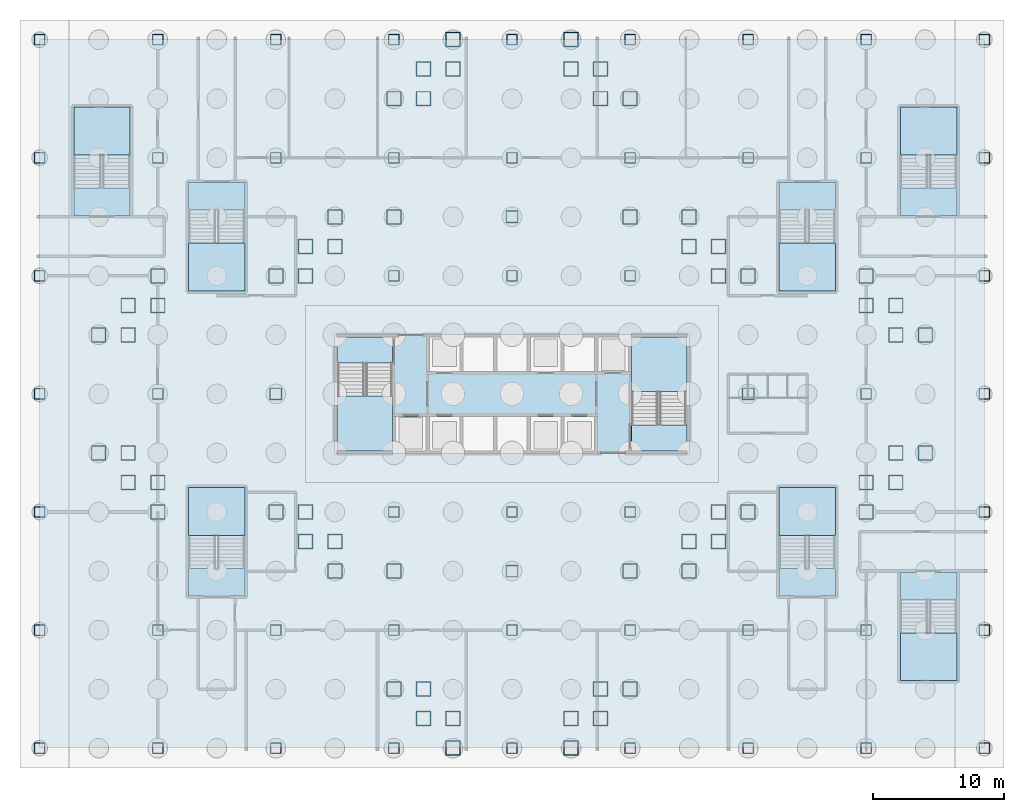
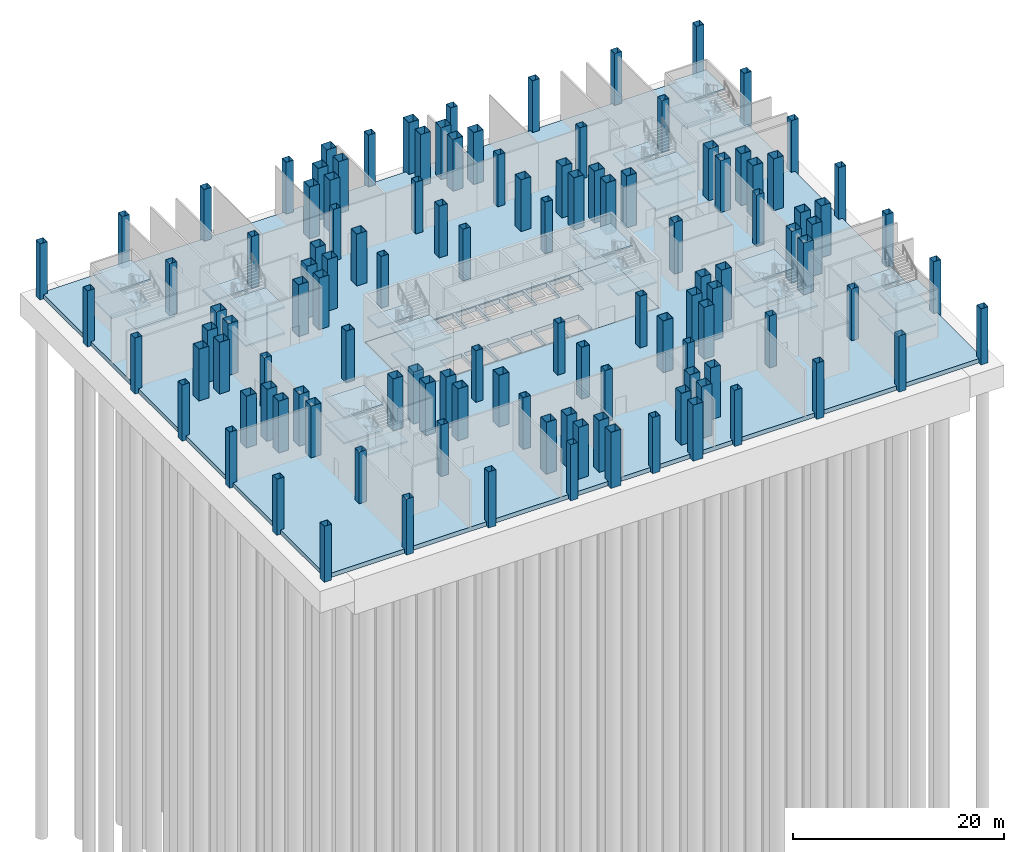
# One storey, part 2 of 25: 118 columns, 29 slabs, 9 elements without a shape of their own.
"""IFC4 building model written with IfcOpenShell, lengths in metres."""

from ifc_helpers import new_model, si_unit, direction, frame, origin, origin_2d, place, context, subcontext, project, spatial, polyline, hollow_rectangle, outline, extrude, material, layer, layer_set, material_profile, profile_set, type_object, element, aggregate, save


model = new_model("IFC4")

# Units and contexts
model_context = context("Model", 3, precision=1e-05, world=origin(), true_north=direction((0.0, 1.0)))
body_context = subcontext(model_context, "Body", "Model", "MODEL_VIEW")
ifc_project = project(units=[si_unit("LENGTHUNIT", "METRE"), si_unit("AREAUNIT", "SQUARE_METRE"), si_unit("VOLUMEUNIT", "CUBIC_METRE"), si_unit("PLANEANGLEUNIT", "RADIAN"), si_unit("MASSUNIT", "GRAM", prefix="KILO")], contexts=[model_context])

# Site, building, storey
site_placement = place(None, origin())
site = spatial("IfcSite", under=ifc_project, at=site_placement, CompositionType="ELEMENT")
building_placement = place(site_placement, origin())
building = spatial("IfcBuilding", under=site, at=building_placement, Name="Caravel Reach Hotel and Residences", CompositionType="ELEMENT")
storey_placement = place(building_placement, frame((0.0, 0.0, -6.0)))
storey = spatial("IfcBuildingStorey", under=building, at=storey_placement, Name="B1", CompositionType="ELEMENT", Elevation=-6.0)

# Columns
ifc_material_1 = material(Name="Concrete-filled steel tube Q390B with Concrete C70 infill", Category="concrete")
ifc_material_profile_1 = material_profile(ifc_material_1, hollow_rectangle(XDim=1.10009765625, YDim=1.10009765625, WallThickness=0.035888671875, at=origin_2d()), Name="RHS 1100x1100x36")
ifc_profile_set_1 = profile_set([ifc_material_profile_1], Name="Concrete-filled steel tube Q390B with Concrete C70 infill")
column_type_1 = type_object("IfcColumnType", Name="CFT 1100x1100 Q390B C70", PredefinedType="COLUMN", material=ifc_profile_set_1)
for number, where, z_axis, x_axis, name in (
    (1, (22.5, 4.5, -0.5), (0.0, 0.0, 1.0), (1.0, 0.0, 0.0), "C1 column"),
    (2, (24.75, 4.5, -0.5), (0.0, 0.0, 1.0), (1.0, 0.0, 0.0), "C1 column"),
    (3, (24.75, 2.25, -0.5), (0.0, 0.0, 1.0), (1.0, 0.0, 0.0), "C1 column"),
    (4, (27.0, 2.25, -0.5), (0.0, 0.0, 1.0), (1.0, 0.0, 0.0), "C1 column"),
    (5, (27.0, 0.0, -0.5), (0.0, 0.0, 1.0), (1.0, 0.0, 0.0), "C1 column"),
    (6, (36.0, 0.0, -0.5), (0.0, 0.0, 1.0), (1.0, 0.0, 0.0), "C1 column"),
    (7, (36.0, 2.25, -0.5), (0.0, 0.0, 1.0), (1.0, 0.0, 0.0), "C1 column"),
    (8, (38.25, 2.25, -0.5), (0.0, 0.0, 1.0), (1.0, 0.0, 0.0), "C1 column"),
    (9, (38.25, 4.5, -0.5), (0.0, 0.0, 1.0), (1.0, 0.0, 0.0), "C1 column"),
    (10, (40.5, 4.5, -0.5), (0.0, 0.0, 1.0), (1.0, 0.0, 0.0), "C1 column"),
    (11, (40.5, 13.5, -0.5), (0.0, 0.0, 1.0), (1.0, 0.0, 0.0), "C1 column"),
    (12, (45.0, 13.5, -0.5), (0.0, 0.0, 1.0), (1.0, 0.0, 0.0), "C1 column"),
    (13, (45.0, 15.75, -0.5), (0.0, 0.0, 1.0), (1.0, 0.0, 0.0), "C1 column"),
    (14, (47.25, 15.75, -0.5), (0.0, 0.0, 1.0), (1.0, 0.0, 0.0), "C1 column"),
    (15, (47.25, 18.0, -0.5), (0.0, 0.0, 1.0), (1.0, 0.0, 0.0), "C1 column"),
    (16, (49.5, 18.0, -0.5), (0.0, 0.0, 1.0), (1.0, 0.0, 0.0), "C1 column"),
    (17, (58.5, 18.0, -0.5), (0.0, 0.0, 1.0), (1.0, 0.0, 0.0), "C1 column"),
    (18, (58.5, 20.25, -0.5), (0.0, 0.0, 1.0), (1.0, 0.0, 0.0), "C1 column"),
    (19, (60.75, 20.25, -0.5), (0.0, 0.0, 1.0), (1.0, 0.0, 0.0), "C1 column"),
    (20, (60.75, 22.5, -0.5), (0.0, 0.0, 1.0), (1.0, 0.0, 0.0), "C1 column"),
    (21, (63.0, 22.5, -0.5), (0.0, 0.0, 1.0), (1.0, 0.0, 0.0), "C1 column"),
    (22, (63.0, 31.5, -0.5), (0.0, 0.0, 1.0), (1.0, 0.0, 0.0), "C1 column"),
    (23, (60.75, 31.5, -0.5), (0.0, 0.0, 1.0), (1.0, 0.0, 0.0), "C1 column"),
    (24, (60.75, 33.75, -0.5), (0.0, 0.0, 1.0), (1.0, 0.0, 0.0), "C1 column"),
    (25, (58.5, 33.75, -0.5), (0.0, 0.0, 1.0), (1.0, 0.0, 0.0), "C1 column"),
    (26, (58.5, 36.0, -0.5), (0.0, 0.0, 1.0), (1.0, 0.0, 0.0), "C1 column"),
    (27, (49.5, 36.0, -0.5), (0.0, 0.0, 1.0), (1.0, 0.0, 0.0), "C1 column"),
    (28, (47.25, 36.0, -0.5), (0.0, 0.0, 1.0), (1.0, 0.0, 0.0), "C1 column"),
    (29, (47.25, 38.25, -0.5), (0.0, 0.0, 1.0), (1.0, 0.0, 0.0), "C1 column"),
    (30, (45.0, 38.25, -0.5), (0.0, 0.0, 1.0), (1.0, 0.0, 0.0), "C1 column"),
    (31, (45.0, 40.5, -0.5), (0.0, 0.0, 1.0), (1.0, 0.0, 0.0), "C1 column"),
    (32, (40.5, 40.5, -0.5), (0.0, 0.0, 1.0), (1.0, 0.0, 0.0), "C1 column"),
    (33, (40.5, 49.5, -0.5), (0.0, 0.0, 1.0), (1.0, 0.0, 0.0), "C1 column"),
    (34, (38.25, 49.5, -0.5), (0.0, 0.0, 1.0), (1.0, 0.0, 0.0), "C1 column"),
    (35, (38.25, 51.75, -0.5), (0.0, 0.0, 1.0), (1.0, 0.0, 0.0), "C1 column"),
    (36, (36.0, 51.75, -0.5), (0.0, 0.0, 1.0), (1.0, 0.0, 0.0), "C1 column"),
    (37, (36.0, 54.0, -0.5), (0.0, 0.0, 1.0), (1.0, 0.0, 0.0), "C1 column"),
    (38, (27.0, 54.0, -0.5), (0.0, 0.0, 1.0), (1.0, 0.0, 0.0), "C1 column"),
    (39, (27.0, 51.75, -0.5), (0.0, 0.0, 1.0), (1.0, 0.0, 0.0), "C1 column"),
    (40, (24.75, 51.75, -0.5), (0.0, 0.0, 1.0), (1.0, 0.0, 0.0), "C1 column"),
    (41, (24.75, 49.5, -0.5), (0.0, 0.0, 1.0), (1.0, 0.0, 0.0), "C1 column"),
    (42, (22.5, 49.5, -0.5), (0.0, 0.0, 1.0), (1.0, 0.0, 0.0), "C1 column"),
    (43, (22.5, 40.5, -0.5), (0.0, 0.0, 1.0), (1.0, 0.0, 0.0), "C1 column"),
    (44, (18.0, 40.5, -0.5), (0.0, 0.0, 1.0), (1.0, 0.0, 0.0), "C1 column"),
    (45, (18.0, 38.25, -0.5), (0.0, 0.0, 1.0), (1.0, 0.0, 0.0), "C1 column"),
    (46, (15.75, 38.25, -0.5), (0.0, 0.0, 1.0), (1.0, 0.0, 0.0), "C1 column"),
    (47, (15.75, 36.0, -0.5), (0.0, 0.0, 1.0), (1.0, 0.0, 0.0), "C1 column"),
    (48, (13.5, 36.0, -0.5), (0.0, 0.0, 1.0), (1.0, 0.0, 0.0), "C1 column"),
    (49, (4.5, 36.0, -0.5), (0.0, 0.0, 1.0), (1.0, 0.0, 0.0), "C1 column"),
    (50, (4.5, 33.75, -0.5), (0.0, 0.0, 1.0), (1.0, 0.0, 0.0), "C1 column"),
    (51, (2.25, 33.75, -0.5), (0.0, 0.0, 1.0), (1.0, 0.0, 0.0), "C1 column"),
    (52, (2.25, 31.5, -0.5), (0.0, 0.0, 1.0), (1.0, 0.0, 0.0), "C1 column"),
    (53, (0.0, 31.5, -0.5), (0.0, 0.0, 1.0), (1.0, 0.0, 0.0), "C1 column"),
    (54, (0.0, 22.5, -0.5), (0.0, 0.0, 1.0), (1.0, 0.0, 0.0), "C1 column"),
    (55, (2.25, 22.5, -0.5), (0.0, 0.0, 1.0), (1.0, 0.0, 0.0), "C1 column"),
    (56, (2.25, 20.25, -0.5), (0.0, 0.0, 1.0), (1.0, 0.0, 0.0), "C1 column"),
    (57, (4.5, 20.25, -0.5), (0.0, 0.0, 1.0), (1.0, 0.0, 0.0), "C1 column"),
    (58, (4.5, 18.0, -0.5), (0.0, 0.0, 1.0), (1.0, 0.0, 0.0), "C1 column"),
    (59, (13.5, 18.0, -0.5), (0.0, 0.0, 1.0), (1.0, 0.0, 0.0), "C1 column"),
    (60, (15.75, 18.0, -0.5), (0.0, 0.0, 1.0), (1.0, 0.0, 0.0), "C1 column"),
    (61, (15.75, 15.75, -0.5), (0.0, 0.0, 1.0), (1.0, 0.0, 0.0), "C1 column"),
    (62, (18.0, 15.75, -0.5), (0.0, 0.0, 1.0), (1.0, 0.0, 0.0), "C1 column"),
    (63, (18.0, 13.5, -0.5), (0.0, 0.0, 1.0), (1.0, 0.0, 0.0), "C1 column"),
    (64, (22.5, 13.5, -0.5), (0.0, 0.0, 1.0), (1.0, 0.0, 0.0), "C1 column"),
):
    element("IfcColumn", number, at=place(storey_placement, frame(where, z_axis=z_axis, x_axis=x_axis)), inside=storey, type_object=column_type_1, Name=name, PredefinedType="COLUMN", context=body_context, shape_type="SweptSolid", body=[
        extrude(hollow_rectangle(XDim=1.10009765625, YDim=1.10009765625, WallThickness=0.035888671875, at=origin_2d()), origin(), (0.0, 0.0, 1.0), 6.5),
    ])
ifc_material_2 = material(Name="Concrete-filled steel tube Q390B with Concrete C70 infill", Category="concrete")
ifc_material_profile_2 = material_profile(ifc_material_2, hollow_rectangle(XDim=0.800048828125, YDim=0.800048828125, WallThickness=0.02490234375, at=origin_2d()), Name="RHS 800x800x25")
ifc_profile_set_2 = profile_set([ifc_material_profile_2], Name="Concrete-filled steel tube Q390B with Concrete C70 infill")
column_type_2 = type_object("IfcColumnType", Name="CFT 800x800 Q390B C70", PredefinedType="COLUMN", material=ifc_profile_set_2)
for number, where, z_axis, x_axis, name in (
    (65, (-4.5, 0.0, -0.5), (0.0, 0.0, 1.0), (1.0, 0.0, 0.0), "C4 column"),
    (66, (-4.5, 9.0, -0.5), (0.0, 0.0, 1.0), (1.0, 0.0, 0.0), "C4 column"),
    (67, (-4.5, 18.0, -0.5), (0.0, 0.0, 1.0), (1.0, 0.0, 0.0), "C4 column"),
    (68, (-4.5, 27.0, -0.5), (0.0, 0.0, 1.0), (1.0, 0.0, 0.0), "C4 column"),
    (69, (-4.5, 36.0, -0.5), (0.0, 0.0, 1.0), (1.0, 0.0, 0.0), "C4 column"),
    (70, (-4.5, 45.0, -0.5), (0.0, 0.0, 1.0), (1.0, 0.0, 0.0), "C4 column"),
    (71, (-4.5, 54.0, -0.5), (0.0, 0.0, 1.0), (1.0, 0.0, 0.0), "C4 column"),
    (72, (4.5, 0.0, -0.5), (0.0, 0.0, 1.0), (1.0, 0.0, 0.0), "C4 column"),
    (73, (4.5, 54.0, -0.5), (0.0, 0.0, 1.0), (1.0, 0.0, 0.0), "C4 column"),
    (74, (13.5, 0.0, -0.5), (0.0, 0.0, 1.0), (1.0, 0.0, 0.0), "C4 column"),
    (75, (13.5, 54.0, -0.5), (0.0, 0.0, 1.0), (1.0, 0.0, 0.0), "C4 column"),
    (76, (22.5, 0.0, -0.5), (0.0, 0.0, 1.0), (1.0, 0.0, 0.0), "C4 column"),
    (77, (22.5, 54.0, -0.5), (0.0, 0.0, 1.0), (1.0, 0.0, 0.0), "C4 column"),
    (78, (31.5, 0.0, -0.5), (0.0, 0.0, 1.0), (1.0, 0.0, 0.0), "C4 column"),
    (79, (31.5, 54.0, -0.5), (0.0, 0.0, 1.0), (1.0, 0.0, 0.0), "C4 column"),
    (80, (40.5, 0.0, -0.5), (0.0, 0.0, 1.0), (1.0, 0.0, 0.0), "C4 column"),
    (81, (40.5, 54.0, -0.5), (0.0, 0.0, 1.0), (1.0, 0.0, 0.0), "C4 column"),
    (82, (49.5, 0.0, -0.5), (0.0, 0.0, 1.0), (1.0, 0.0, 0.0), "C4 column"),
    (83, (49.5, 54.0, -0.5), (0.0, 0.0, 1.0), (1.0, 0.0, 0.0), "C4 column"),
    (84, (58.5, 0.0, -0.5), (0.0, 0.0, 1.0), (1.0, 0.0, 0.0), "C4 column"),
    (85, (58.5, 54.0, -0.5), (0.0, 0.0, 1.0), (1.0, 0.0, 0.0), "C4 column"),
    (86, (67.5, 0.0, -0.5), (0.0, 0.0, 1.0), (1.0, 0.0, 0.0), "C4 column"),
    (87, (67.5, 9.0, -0.5), (0.0, 0.0, 1.0), (1.0, 0.0, 0.0), "C4 column"),
    (88, (67.5, 18.0, -0.5), (0.0, 0.0, 1.0), (1.0, 0.0, 0.0), "C4 column"),
    (89, (67.5, 27.0, -0.5), (0.0, 0.0, 1.0), (1.0, 0.0, 0.0), "C4 column"),
    (90, (67.5, 36.0, -0.5), (0.0, 0.0, 1.0), (1.0, 0.0, 0.0), "C4 column"),
    (91, (67.5, 45.0, -0.5), (0.0, 0.0, 1.0), (1.0, 0.0, 0.0), "C4 column"),
    (92, (67.5, 54.0, -0.5), (0.0, 0.0, 1.0), (1.0, 0.0, 0.0), "C4 column"),
    (93, (4.5, 9.0, -0.5), (0.0, 0.0, 1.0), (1.0, 0.0, 0.0), "C4 column"),
    (94, (4.5, 27.0, -0.5), (0.0, 0.0, 1.0), (1.0, 0.0, 0.0), "C4 column"),
    (95, (4.5, 45.0, -0.5), (0.0, 0.0, 1.0), (1.0, 0.0, 0.0), "C4 column"),
    (96, (13.5, 9.0, -0.5), (0.0, 0.0, 1.0), (1.0, 0.0, 0.0), "C4 column"),
    (97, (13.5, 45.0, -0.5), (0.0, 0.0, 1.0), (1.0, 0.0, 0.0), "C4 column"),
    (98, (22.5, 9.0, -0.5), (0.0, 0.0, 1.0), (1.0, 0.0, 0.0), "C4 column"),
    (99, (22.5, 18.0, -0.5), (0.0, 0.0, 1.0), (1.0, 0.0, 0.0), "C4 column"),
    (100, (22.5, 36.0, -0.5), (0.0, 0.0, 1.0), (1.0, 0.0, 0.0), "C4 column"),
    (101, (22.5, 45.0, -0.5), (0.0, 0.0, 1.0), (1.0, 0.0, 0.0), "C4 column"),
    (102, (31.5, 9.0, -0.5), (0.0, 0.0, 1.0), (1.0, 0.0, 0.0), "C4 column"),
    (103, (31.5, 18.0, -0.5), (0.0, 0.0, 1.0), (1.0, 0.0, 0.0), "C4 column"),
    (104, (31.5, 36.0, -0.5), (0.0, 0.0, 1.0), (1.0, 0.0, 0.0), "C4 column"),
    (105, (31.5, 45.0, -0.5), (0.0, 0.0, 1.0), (1.0, 0.0, 0.0), "C4 column"),
    (106, (40.5, 9.0, -0.5), (0.0, 0.0, 1.0), (1.0, 0.0, 0.0), "C4 column"),
    (107, (40.5, 18.0, -0.5), (0.0, 0.0, 1.0), (1.0, 0.0, 0.0), "C4 column"),
    (108, (40.5, 36.0, -0.5), (0.0, 0.0, 1.0), (1.0, 0.0, 0.0), "C4 column"),
    (109, (40.5, 45.0, -0.5), (0.0, 0.0, 1.0), (1.0, 0.0, 0.0), "C4 column"),
    (110, (49.5, 9.0, -0.5), (0.0, 0.0, 1.0), (1.0, 0.0, 0.0), "C4 column"),
    (111, (49.5, 45.0, -0.5), (0.0, 0.0, 1.0), (1.0, 0.0, 0.0), "C4 column"),
    (112, (58.5, 9.0, -0.5), (0.0, 0.0, 1.0), (1.0, 0.0, 0.0), "C4 column"),
    (113, (58.5, 27.0, -0.5), (0.0, 0.0, 1.0), (1.0, 0.0, 0.0), "C4 column"),
    (114, (58.5, 45.0, -0.5), (0.0, 0.0, 1.0), (1.0, 0.0, 0.0), "C4 column"),
):
    element("IfcColumn", number, at=place(storey_placement, frame(where, z_axis=z_axis, x_axis=x_axis)), inside=storey, type_object=column_type_2, Name=name, PredefinedType="COLUMN", context=body_context, shape_type="SweptSolid", body=[
        extrude(hollow_rectangle(XDim=0.800048828125, YDim=0.800048828125, WallThickness=0.02490234375, at=origin_2d()), origin(), (0.0, 0.0, 1.0), 6.5),
    ])
ifc_material_3 = material(Name="Concrete-filled steel tube Q390B with Concrete C70 infill", Category="concrete")
ifc_material_profile_3 = material_profile(ifc_material_3, hollow_rectangle(XDim=0.89990234375, YDim=0.89990234375, WallThickness=0.028076171875, at=origin_2d()), Name="RHS 900x900x28")
ifc_profile_set_3 = profile_set([ifc_material_profile_3], Name="Concrete-filled steel tube Q390B with Concrete C70 infill")
column_type_3 = type_object("IfcColumnType", Name="CFT 900x900 Q390B C70", PredefinedType="COLUMN", material=ifc_profile_set_3)
for number, where, z_axis, x_axis, name in (
    (115, (31.5, 40.5, -0.5), (0.0, 0.0, 1.0), (1.0, 0.0, 0.0), "C3 column"),
    (116, (31.5, 13.5, -0.5), (0.0, 0.0, 1.0), (1.0, 0.0, 0.0), "C3 column"),
    (117, (13.5, 27.0, -0.5), (0.0, 0.0, 1.0), (1.0, 0.0, 0.0), "C3 column"),
    (118, (49.5, 27.0, -0.5), (0.0, 0.0, 1.0), (1.0, 0.0, 0.0), "C3 column"),
):
    element("IfcColumn", number, at=place(storey_placement, frame(where, z_axis=z_axis, x_axis=x_axis)), inside=storey, type_object=column_type_3, Name=name, PredefinedType="COLUMN", context=body_context, shape_type="SweptSolid", body=[
        extrude(hollow_rectangle(XDim=0.89990234375, YDim=0.89990234375, WallThickness=0.028076171875, at=origin_2d()), origin(), (0.0, 0.0, 1.0), 6.5),
    ])

# Slabs
ifc_material_4 = material(Name="Concrete C40", Category="concrete")
ifc_layer_1 = layer(ifc_material_4, 0.5)
ifc_layer_set_1 = layer_set([ifc_layer_1], Name="Basement slab 500")
slab_type_1 = type_object("IfcSlabType", Name="Basement slab 500", PredefinedType="BASESLAB", material=ifc_layer_set_1)
slab_1_placement = place(storey_placement, frame((0.0, 0.0, -0.5)))
element("IfcSlab", 119, at=slab_1_placement, inside=storey, type_object=slab_type_1, Name="S1 basement floor slab", PredefinedType="BASESLAB", context=body_context, shape_type="SweptSolid", body=[
    extrude(outline(polyline([(-4.5, 0.0), (-4.5, 54.0), (67.5, 54.0), (67.5, 0.0), (-4.5, 0.0)]), holes=[polyline([(45.0, 31.5), (18.0, 31.5), (18.0, 22.5), (45.0, 22.5), (45.0, 31.5)])]), origin(), (0.0, 0.0, 1.0), 0.5),
])
ifc_material_5 = material(Name="Concrete C40", Category="concrete")
ifc_layer_2 = layer(ifc_material_5, 0.5)
ifc_layer_set_2 = layer_set([ifc_layer_2], Name="Core floor slab 500 mm")
slab_type_2 = type_object("IfcSlabType", Name="Core floor slab 500 mm", PredefinedType="FLOOR", material=ifc_layer_set_2)
slab_2_placement = place(storey_placement, frame((0.0, 0.0, -0.5)))
element("IfcSlab", 120, at=slab_2_placement, inside=storey, type_object=slab_type_2, Name="B1 core floor", PredefinedType="FLOOR", context=body_context, shape_type="SweptSolid", body=[
    extrude(outline(polyline([(18.0, 31.5), (45.0, 31.5), (45.0, 22.5), (18.0, 22.5), (18.0, 31.5)]), holes=[polyline([(22.625, 25.27490234375), (22.625, 22.64990234375), (24.9462890625, 22.64990234375), (24.9462890625, 25.27490234375), (22.625, 25.27490234375)]), polyline([(27.517822265625, 25.27490234375), (25.1962890625, 25.27490234375), (25.1962890625, 22.64990234375), (27.517822265625, 22.64990234375), (27.517822265625, 25.27490234375)]), polyline([(30.08935546875, 25.27490234375), (27.767822265625, 25.27490234375), (27.767822265625, 22.64990234375), (30.08935546875, 22.64990234375), (30.08935546875, 25.27490234375)]), polyline([(30.33935546875, 25.27490234375), (30.33935546875, 22.64990234375), (32.66064453125, 22.64990234375), (32.66064453125, 25.27490234375), (30.33935546875, 25.27490234375)]), polyline([(27.517822265625, 31.35009765625), (25.1962890625, 31.35009765625), (25.1962890625, 28.72509765625), (27.517822265625, 28.72509765625), (27.517822265625, 31.35009765625)]), polyline([(30.08935546875, 31.35009765625), (27.767822265625, 31.35009765625), (27.767822265625, 28.72509765625), (30.08935546875, 28.72509765625), (30.08935546875, 31.35009765625)]), polyline([(32.91064453125, 25.27490234375), (32.91064453125, 22.64990234375), (35.232177734375, 22.64990234375), (35.232177734375, 25.27490234375), (32.91064453125, 25.27490234375)]), polyline([(37.8037109375, 25.27490234375), (35.482177734375, 25.27490234375), (35.482177734375, 22.64990234375), (37.8037109375, 22.64990234375), (37.8037109375, 25.27490234375)]), polyline([(32.66064453125, 31.35009765625), (30.33935546875, 31.35009765625), (30.33935546875, 28.72509765625), (32.66064453125, 28.72509765625), (32.66064453125, 31.35009765625)]), polyline([(32.91064453125, 31.35009765625), (32.91064453125, 28.72509765625), (35.232177734375, 28.72509765625), (35.232177734375, 31.35009765625), (32.91064453125, 31.35009765625)]), polyline([(37.8037109375, 31.35009765625), (35.482177734375, 31.35009765625), (35.482177734375, 28.72509765625), (37.8037109375, 28.72509765625), (37.8037109375, 31.35009765625)]), polyline([(40.375, 31.35009765625), (38.0537109375, 31.35009765625), (38.0537109375, 28.72509765625), (40.375, 28.72509765625), (40.375, 31.35009765625)])]), origin(), (0.0, 0.0, 1.0), 0.5),
])

# Stair, slabs
ifc_material_6 = material(Name="Concrete C40", Category="concrete")
stair_type = type_object("IfcStairType", Name="Core stair", PredefinedType="HALF_TURN_STAIR", material=ifc_material_6)
stair_1_placement = place(storey_placement, origin())
stair_1 = element("IfcStair", 121, at=stair_1_placement, inside=storey, type_object=stair_type, Name="B1 Exit stair A", PredefinedType="HALF_TURN_STAIR")
ifc_material_7 = material(Name="Concrete C40", Category="concrete")
ifc_layer_3 = layer(ifc_material_7, 0.199951171875)
ifc_layer_set_3 = layer_set([ifc_layer_3], Name="Core stair landing")
slab_type_3 = type_object("IfcSlabType", Name="Core stair landing", PredefinedType="LANDING", material=ifc_layer_set_3)
slab_3_placement = place(storey_placement, frame((0.0, 0.0, 1.300048828125)))
slab_3 = element("IfcSlab", 122, at=slab_3_placement, type_object=slab_type_3, Name="ST-A landing 1", PredefinedType="LANDING", context=body_context, shape_type="SweptSolid", body=[
    extrude(outline(polyline([(18.14990234375, 26.830078125), (18.14990234375, 22.64990234375), (22.375, 22.64990234375), (22.375, 26.830078125), (18.14990234375, 26.830078125)])), origin(), (0.0, 0.0, 1.0), 0.199951171875),
])
slab_4_placement = place(storey_placement, frame((0.0, 0.0, 2.800048828125)))
slab_4 = element("IfcSlab", 123, at=slab_4_placement, type_object=slab_type_3, Name="ST-A landing 2", PredefinedType="LANDING", context=body_context, shape_type="SweptSolid", body=[
    extrude(outline(polyline([(18.14990234375, 31.35009765625), (18.14990234375, 29.35009765625), (22.39990234375, 29.35009765625), (22.39990234375, 31.35009765625), (18.14990234375, 31.35009765625)])), origin(), (0.0, 0.0, 1.0), 0.199951171875),
])
slab_5_placement = place(storey_placement, frame((0.0, 0.0, 4.300048828125)))
slab_5 = element("IfcSlab", 124, at=slab_5_placement, type_object=slab_type_3, Name="ST-A landing 3", PredefinedType="LANDING", context=body_context, shape_type="SweptSolid", body=[
    extrude(outline(polyline([(18.14990234375, 26.830078125), (18.14990234375, 22.64990234375), (22.375, 22.64990234375), (22.375, 26.830078125), (18.14990234375, 26.830078125)])), origin(), (0.0, 0.0, 1.0), 0.199951171875),
])
aggregate(stair_1, [slab_3, slab_4, slab_5])

stair_2_placement = place(storey_placement, origin())
stair_2 = element("IfcStair", 125, at=stair_2_placement, inside=storey, type_object=stair_type, Name="B1 Exit stair B", PredefinedType="HALF_TURN_STAIR")
slab_6_placement = place(storey_placement, frame((0.0, 0.0, 1.300048828125)))
slab_6 = element("IfcSlab", 126, at=slab_6_placement, type_object=slab_type_3, Name="ST-B landing 1", PredefinedType="LANDING", context=body_context, shape_type="SweptSolid", body=[
    extrude(outline(polyline([(44.85009765625, 27.169921875), (44.85009765625, 31.35009765625), (40.625, 31.35009765625), (40.625, 27.169921875), (44.85009765625, 27.169921875)])), origin(), (0.0, 0.0, 1.0), 0.199951171875),
])
slab_7_placement = place(storey_placement, frame((0.0, 0.0, 2.800048828125)))
slab_7 = element("IfcSlab", 127, at=slab_7_placement, type_object=slab_type_3, Name="ST-B landing 2", PredefinedType="LANDING", context=body_context, shape_type="SweptSolid", body=[
    extrude(outline(polyline([(44.85009765625, 22.64990234375), (44.85009765625, 24.64990234375), (40.60009765625, 24.64990234375), (40.60009765625, 22.64990234375), (44.85009765625, 22.64990234375)])), origin(), (0.0, 0.0, 1.0), 0.199951171875),
])
slab_8_placement = place(storey_placement, frame((0.0, 0.0, 4.300048828125)))
slab_8 = element("IfcSlab", 128, at=slab_8_placement, type_object=slab_type_3, Name="ST-B landing 3", PredefinedType="LANDING", context=body_context, shape_type="SweptSolid", body=[
    extrude(outline(polyline([(44.85009765625, 27.169921875), (44.85009765625, 31.35009765625), (40.625, 31.35009765625), (40.625, 27.169921875), (44.85009765625, 27.169921875)])), origin(), (0.0, 0.0, 1.0), 0.199951171875),
])
aggregate(stair_2, [slab_6, slab_7, slab_8])

stair_3_placement = place(storey_placement, origin())
stair_3 = element("IfcStair", 129, at=stair_3_placement, inside=storey, type_object=stair_type, Name="B1 Exit stair P1", PredefinedType="HALF_TURN_STAIR")
slab_9_placement = place(storey_placement, frame((0.0, 0.0, 1.300048828125)))
slab_9 = element("IfcSlab", 130, at=slab_9_placement, type_object=slab_type_3, Name="ST-P1 landing 1", PredefinedType="LANDING", context=body_context, shape_type="SweptSolid", body=[
    extrude(outline(polyline([(6.85009765625, 38.489990234375), (6.85009765625, 34.85009765625), (11.14990234375, 34.85009765625), (11.14990234375, 38.489990234375), (6.85009765625, 38.489990234375)])), origin(), (0.0, 0.0, 1.0), 0.199951171875),
])
slab_10_placement = place(storey_placement, frame((0.0, 0.0, 2.800048828125)))
slab_10 = element("IfcSlab", 131, at=slab_10_placement, type_object=slab_type_3, Name="ST-P1 landing 2", PredefinedType="LANDING", context=body_context, shape_type="SweptSolid", body=[
    extrude(outline(polyline([(6.85009765625, 43.10009765625), (6.85009765625, 41.010009765625), (11.14990234375, 41.010009765625), (11.14990234375, 43.10009765625), (6.85009765625, 43.10009765625)])), origin(), (0.0, 0.0, 1.0), 0.199951171875),
])
slab_11_placement = place(storey_placement, frame((0.0, 0.0, 4.300048828125)))
slab_11 = element("IfcSlab", 132, at=slab_11_placement, type_object=slab_type_3, Name="ST-P1 landing 3", PredefinedType="LANDING", context=body_context, shape_type="SweptSolid", body=[
    extrude(outline(polyline([(6.85009765625, 38.489990234375), (6.85009765625, 34.85009765625), (11.14990234375, 34.85009765625), (11.14990234375, 38.489990234375), (6.85009765625, 38.489990234375)])), origin(), (0.0, 0.0, 1.0), 0.199951171875),
])
aggregate(stair_3, [slab_9, slab_10, slab_11])

stair_4_placement = place(storey_placement, origin())
stair_4 = element("IfcStair", 133, at=stair_4_placement, inside=storey, type_object=stair_type, Name="B1 Exit stair P2", PredefinedType="HALF_TURN_STAIR")
slab_12_placement = place(storey_placement, frame((0.0, 0.0, 1.300048828125)))
slab_12 = element("IfcSlab", 134, at=slab_12_placement, type_object=slab_type_3, Name="ST-P2 landing 1", PredefinedType="LANDING", context=body_context, shape_type="SweptSolid", body=[
    extrude(outline(polyline([(51.85009765625, 38.489990234375), (51.85009765625, 34.85009765625), (56.14990234375, 34.85009765625), (56.14990234375, 38.489990234375), (51.85009765625, 38.489990234375)])), origin(), (0.0, 0.0, 1.0), 0.199951171875),
])
slab_13_placement = place(storey_placement, frame((0.0, 0.0, 2.800048828125)))
slab_13 = element("IfcSlab", 135, at=slab_13_placement, type_object=slab_type_3, Name="ST-P2 landing 2", PredefinedType="LANDING", context=body_context, shape_type="SweptSolid", body=[
    extrude(outline(polyline([(51.85009765625, 43.10009765625), (51.85009765625, 41.010009765625), (56.14990234375, 41.010009765625), (56.14990234375, 43.10009765625), (51.85009765625, 43.10009765625)])), origin(), (0.0, 0.0, 1.0), 0.199951171875),
])
slab_14_placement = place(storey_placement, frame((0.0, 0.0, 4.300048828125)))
slab_14 = element("IfcSlab", 136, at=slab_14_placement, type_object=slab_type_3, Name="ST-P2 landing 3", PredefinedType="LANDING", context=body_context, shape_type="SweptSolid", body=[
    extrude(outline(polyline([(51.85009765625, 38.489990234375), (51.85009765625, 34.85009765625), (56.14990234375, 34.85009765625), (56.14990234375, 38.489990234375), (51.85009765625, 38.489990234375)])), origin(), (0.0, 0.0, 1.0), 0.199951171875),
])
aggregate(stair_4, [slab_12, slab_13, slab_14])

stair_5_placement = place(storey_placement, origin())
stair_5 = element("IfcStair", 137, at=stair_5_placement, inside=storey, type_object=stair_type, Name="B1 Exit stair P3", PredefinedType="HALF_TURN_STAIR")
slab_15_placement = place(storey_placement, frame((0.0, 0.0, 1.300048828125)))
slab_15 = element("IfcSlab", 138, at=slab_15_placement, type_object=slab_type_3, Name="ST-P3 landing 1", PredefinedType="LANDING", context=body_context, shape_type="SweptSolid", body=[
    extrude(outline(polyline([(11.14990234375, 16.2099609375), (11.14990234375, 19.85009765625), (6.85009765625, 19.85009765625), (6.85009765625, 16.2099609375), (11.14990234375, 16.2099609375)])), origin(), (0.0, 0.0, 1.0), 0.199951171875),
])
slab_16_placement = place(storey_placement, frame((0.0, 0.0, 2.800048828125)))
slab_16 = element("IfcSlab", 139, at=slab_16_placement, type_object=slab_type_3, Name="ST-P3 landing 2", PredefinedType="LANDING", context=body_context, shape_type="SweptSolid", body=[
    extrude(outline(polyline([(11.14990234375, 11.60009765625), (11.14990234375, 13.68994140625), (6.85009765625, 13.68994140625), (6.85009765625, 11.60009765625), (11.14990234375, 11.60009765625)])), origin(), (0.0, 0.0, 1.0), 0.199951171875),
])
slab_17_placement = place(storey_placement, frame((0.0, 0.0, 4.300048828125)))
slab_17 = element("IfcSlab", 140, at=slab_17_placement, type_object=slab_type_3, Name="ST-P3 landing 3", PredefinedType="LANDING", context=body_context, shape_type="SweptSolid", body=[
    extrude(outline(polyline([(11.14990234375, 16.2099609375), (11.14990234375, 19.85009765625), (6.85009765625, 19.85009765625), (6.85009765625, 16.2099609375), (11.14990234375, 16.2099609375)])), origin(), (0.0, 0.0, 1.0), 0.199951171875),
])
aggregate(stair_5, [slab_15, slab_16, slab_17])

stair_6_placement = place(storey_placement, origin())
stair_6 = element("IfcStair", 141, at=stair_6_placement, inside=storey, type_object=stair_type, Name="B1 Exit stair P4", PredefinedType="HALF_TURN_STAIR")
slab_18_placement = place(storey_placement, frame((0.0, 0.0, 1.300048828125)))
slab_18 = element("IfcSlab", 142, at=slab_18_placement, type_object=slab_type_3, Name="ST-P4 landing 1", PredefinedType="LANDING", context=body_context, shape_type="SweptSolid", body=[
    extrude(outline(polyline([(56.14990234375, 16.2099609375), (56.14990234375, 19.85009765625), (51.85009765625, 19.85009765625), (51.85009765625, 16.2099609375), (56.14990234375, 16.2099609375)])), origin(), (0.0, 0.0, 1.0), 0.199951171875),
])
slab_19_placement = place(storey_placement, frame((0.0, 0.0, 2.800048828125)))
slab_19 = element("IfcSlab", 143, at=slab_19_placement, type_object=slab_type_3, Name="ST-P4 landing 2", PredefinedType="LANDING", context=body_context, shape_type="SweptSolid", body=[
    extrude(outline(polyline([(56.14990234375, 11.60009765625), (56.14990234375, 13.68994140625), (51.85009765625, 13.68994140625), (51.85009765625, 11.60009765625), (56.14990234375, 11.60009765625)])), origin(), (0.0, 0.0, 1.0), 0.199951171875),
])
slab_20_placement = place(storey_placement, frame((0.0, 0.0, 4.300048828125)))
slab_20 = element("IfcSlab", 144, at=slab_20_placement, type_object=slab_type_3, Name="ST-P4 landing 3", PredefinedType="LANDING", context=body_context, shape_type="SweptSolid", body=[
    extrude(outline(polyline([(56.14990234375, 16.2099609375), (56.14990234375, 19.85009765625), (51.85009765625, 19.85009765625), (51.85009765625, 16.2099609375), (56.14990234375, 16.2099609375)])), origin(), (0.0, 0.0, 1.0), 0.199951171875),
])
aggregate(stair_6, [slab_18, slab_19, slab_20])

stair_7_placement = place(storey_placement, origin())
stair_7 = element("IfcStair", 145, at=stair_7_placement, inside=storey, type_object=stair_type, Name="B1 Exit stair P5", PredefinedType="HALF_TURN_STAIR")
slab_21_placement = place(storey_placement, frame((0.0, 0.0, 1.300048828125)))
slab_21 = element("IfcSlab", 146, at=slab_21_placement, type_object=slab_type_3, Name="ST-P5 landing 1", PredefinedType="LANDING", context=body_context, shape_type="SweptSolid", body=[
    extrude(outline(polyline([(2.39990234375, 45.2099609375), (2.39990234375, 48.85009765625), (-1.89990234375, 48.85009765625), (-1.89990234375, 45.2099609375), (2.39990234375, 45.2099609375)])), origin(), (0.0, 0.0, 1.0), 0.199951171875),
])
slab_22_placement = place(storey_placement, frame((0.0, 0.0, 2.800048828125)))
slab_22 = element("IfcSlab", 147, at=slab_22_placement, type_object=slab_type_3, Name="ST-P5 landing 2", PredefinedType="LANDING", context=body_context, shape_type="SweptSolid", body=[
    extrude(outline(polyline([(2.39990234375, 40.60009765625), (2.39990234375, 42.68994140625), (-1.89990234375, 42.68994140625), (-1.89990234375, 40.60009765625), (2.39990234375, 40.60009765625)])), origin(), (0.0, 0.0, 1.0), 0.199951171875),
])
slab_23_placement = place(storey_placement, frame((0.0, 0.0, 4.300048828125)))
slab_23 = element("IfcSlab", 148, at=slab_23_placement, type_object=slab_type_3, Name="ST-P5 landing 3", PredefinedType="LANDING", context=body_context, shape_type="SweptSolid", body=[
    extrude(outline(polyline([(2.39990234375, 45.2099609375), (2.39990234375, 48.85009765625), (-1.89990234375, 48.85009765625), (-1.89990234375, 45.2099609375), (2.39990234375, 45.2099609375)])), origin(), (0.0, 0.0, 1.0), 0.199951171875),
])
aggregate(stair_7, [slab_21, slab_22, slab_23])

stair_8_placement = place(storey_placement, origin())
stair_8 = element("IfcStair", 149, at=stair_8_placement, inside=storey, type_object=stair_type, Name="B1 Exit stair P6", PredefinedType="HALF_TURN_STAIR")
slab_24_placement = place(storey_placement, frame((0.0, 0.0, 1.300048828125)))
slab_24 = element("IfcSlab", 150, at=slab_24_placement, type_object=slab_type_3, Name="ST-P6 landing 1", PredefinedType="LANDING", context=body_context, shape_type="SweptSolid", body=[
    extrude(outline(polyline([(65.39990234375, 45.2099609375), (65.39990234375, 48.85009765625), (61.10009765625, 48.85009765625), (61.10009765625, 45.2099609375), (65.39990234375, 45.2099609375)])), origin(), (0.0, 0.0, 1.0), 0.199951171875),
])
slab_25_placement = place(storey_placement, frame((0.0, 0.0, 2.800048828125)))
slab_25 = element("IfcSlab", 151, at=slab_25_placement, type_object=slab_type_3, Name="ST-P6 landing 2", PredefinedType="LANDING", context=body_context, shape_type="SweptSolid", body=[
    extrude(outline(polyline([(65.39990234375, 40.60009765625), (65.39990234375, 42.68994140625), (61.10009765625, 42.68994140625), (61.10009765625, 40.60009765625), (65.39990234375, 40.60009765625)])), origin(), (0.0, 0.0, 1.0), 0.199951171875),
])
slab_26_placement = place(storey_placement, frame((0.0, 0.0, 4.300048828125)))
slab_26 = element("IfcSlab", 152, at=slab_26_placement, type_object=slab_type_3, Name="ST-P6 landing 3", PredefinedType="LANDING", context=body_context, shape_type="SweptSolid", body=[
    extrude(outline(polyline([(65.39990234375, 45.2099609375), (65.39990234375, 48.85009765625), (61.10009765625, 48.85009765625), (61.10009765625, 45.2099609375), (65.39990234375, 45.2099609375)])), origin(), (0.0, 0.0, 1.0), 0.199951171875),
])
aggregate(stair_8, [slab_24, slab_25, slab_26])

stair_9_placement = place(storey_placement, origin())
stair_9 = element("IfcStair", 153, at=stair_9_placement, inside=storey, type_object=stair_type, Name="B1 Exit stair P7", PredefinedType="HALF_TURN_STAIR")
slab_27_placement = place(storey_placement, frame((0.0, 0.0, 1.300048828125)))
slab_27 = element("IfcSlab", 154, at=slab_27_placement, type_object=slab_type_3, Name="ST-P7 landing 1", PredefinedType="LANDING", context=body_context, shape_type="SweptSolid", body=[
    extrude(outline(polyline([(61.10009765625, 8.7900390625), (61.10009765625, 5.14990234375), (65.39990234375, 5.14990234375), (65.39990234375, 8.7900390625), (61.10009765625, 8.7900390625)])), origin(), (0.0, 0.0, 1.0), 0.199951171875),
])
slab_28_placement = place(storey_placement, frame((0.0, 0.0, 2.800048828125)))
slab_28 = element("IfcSlab", 155, at=slab_28_placement, type_object=slab_type_3, Name="ST-P7 landing 2", PredefinedType="LANDING", context=body_context, shape_type="SweptSolid", body=[
    extrude(outline(polyline([(61.10009765625, 13.39990234375), (61.10009765625, 11.31005859375), (65.39990234375, 11.31005859375), (65.39990234375, 13.39990234375), (61.10009765625, 13.39990234375)])), origin(), (0.0, 0.0, 1.0), 0.199951171875),
])
slab_29_placement = place(storey_placement, frame((0.0, 0.0, 4.300048828125)))
slab_29 = element("IfcSlab", 156, at=slab_29_placement, type_object=slab_type_3, Name="ST-P7 landing 3", PredefinedType="LANDING", context=body_context, shape_type="SweptSolid", body=[
    extrude(outline(polyline([(61.10009765625, 8.7900390625), (61.10009765625, 5.14990234375), (65.39990234375, 5.14990234375), (65.39990234375, 8.7900390625), (61.10009765625, 8.7900390625)])), origin(), (0.0, 0.0, 1.0), 0.199951171875),
])
aggregate(stair_9, [slab_27, slab_28, slab_29])

save(model, "model.ifc")
